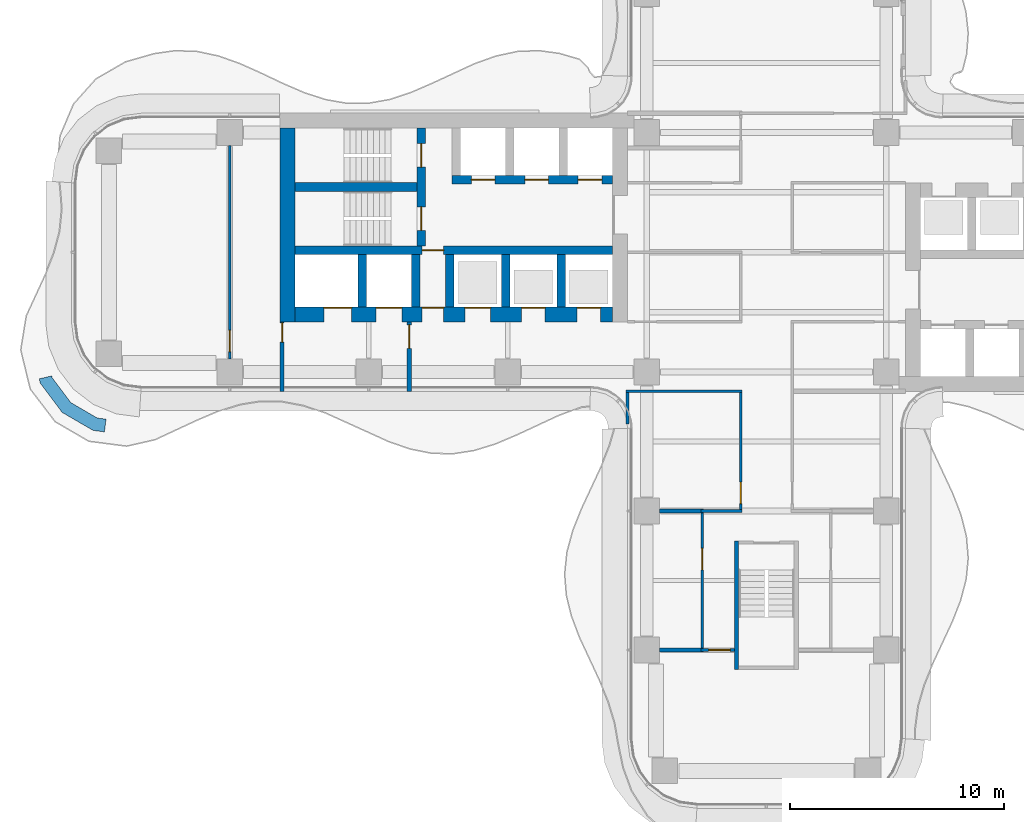
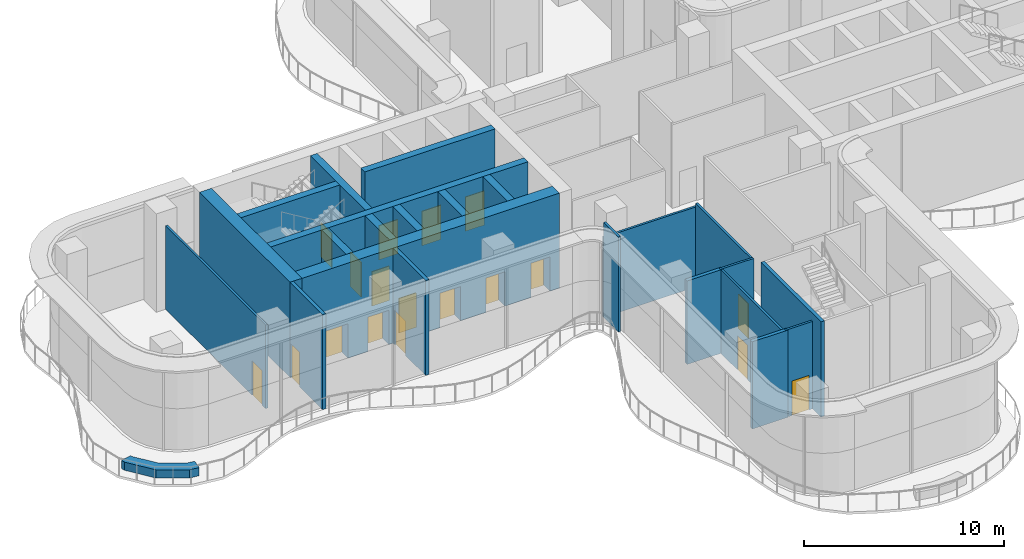
# One storey, part 12 of 19: 24 walls, 18 doors, 18 openings.
"""IFC4 building model written with IfcOpenShell, lengths in metres."""

from ifc_helpers import new_model, si_unit, direction, frame, frame_2d, origin, place, context, subcontext, project, spatial, polyline, rectangle, outline, extrude, source, transform, mapped, material, layer, layer_set, type_object, element, fill, save


model = new_model("IFC4")

# Units and contexts
model_context = context("Model", 3, precision=1e-05, world=origin(), true_north=direction((0.0, 1.0)))
body_context = subcontext(model_context, "Body", "Model", "MODEL_VIEW")
ifc_project = project(units=[si_unit("LENGTHUNIT", "METRE"), si_unit("AREAUNIT", "SQUARE_METRE"), si_unit("VOLUMEUNIT", "CUBIC_METRE"), si_unit("PLANEANGLEUNIT", "RADIAN"), si_unit("MASSUNIT", "GRAM", prefix="KILO")], contexts=[model_context])

# Site, building, storey
site_placement = place(None, origin())
site = spatial("IfcSite", under=ifc_project, at=site_placement, CompositionType="ELEMENT")
building_placement = place(site_placement, origin())
building = spatial("IfcBuilding", under=site, at=building_placement, Name="Trellis Farm Tower", CompositionType="ELEMENT")
storey_placement = place(building_placement, frame((0.0, 0.0, 156.0)))
storey = spatial("IfcBuildingStorey", under=building, at=storey_placement, Name="L33", CompositionType="ELEMENT", Elevation=156.0)

# Wall, opening, door
ifc_material_1 = material(Name="Plasterboard on steel studs, mineral wool", Category="steel")
ifc_layer_1 = layer(ifc_material_1, 0.125)
ifc_layer_set_1 = layer_set([ifc_layer_1], Name="PARTITION 125 STUD EI 60")
wall_type_1 = type_object("IfcWallType", Name="PARTITION 125 STUD EI 60", PredefinedType="PARTITIONING", material=ifc_layer_set_1)
wall_1_placement = place(storey_placement, frame((-25.10009765625, -5.0, 0.0), z_axis=(0.0, 0.0, 1.0), x_axis=(0.0, 1.0, 0.0)))
wall_1 = element("IfcWall", 1, at=wall_1_placement, inside=storey, type_object=wall_type_1, Name="Partition PW1", PredefinedType="PARTITIONING", context=body_context, shape_type="SweptSolid", body=[
    extrude(rectangle(XDim=10.0, YDim=0.125, at=frame_2d((5.0, 0.0))), origin(), (0.0, 0.0, 1.0), 5.0966796875),
])
shared_shape_1 = source(origin(), body_context, "Body", "SweptSolid", [
    extrude(rectangle(XDim=1.0, YDim=2.10009765625, at=frame_2d((0.5, 1.050048828125))), frame((0.0, 0.072509765625, 0.0), z_axis=(0.0, -1.0, 0.0), x_axis=(1.0, 0.0, 0.0)), (0.0, 0.0, 1.0), 0.14501953125),
])
opening_1_placement = place(wall_1_placement, frame((0.35009765625, 0.0, 0.0)))
opening_1 = element("IfcOpeningElement", 2, at=opening_1_placement, cuts=wall_1, Name="Opening D306", PredefinedType="OPENING", context=body_context, shape_type="MappedRepresentation", body=[
    mapped(shared_shape_1, transform((0.0, 0.0, 0.0))),
])
ifc_material_2 = material(Name="Fire-rated timber door leaf in a hollow metal frame", Category="wood")
door_type_1 = type_object("IfcDoorType", Name="DOOR 1000x2100 FD60", OperationType="NOTDEFINED", PredefinedType="DOOR", material=ifc_material_2)
shared_shape_2 = source(origin(), body_context, "Body", "SweptSolid", [
    extrude(rectangle(XDim=1.0, YDim=2.10009765625, at=frame_2d((0.5, 1.050048828125))), frame((0.0, 0.02490234375, 0.0), z_axis=(0.0, -1.0, 0.0), x_axis=(1.0, 0.0, 0.0)), (0.0, 0.0, 1.0), 0.050048828125),
])
door_1_placement = place(opening_1_placement, origin())
door_1 = element("IfcDoor", 3, at=door_1_placement, inside=storey, type_object=door_type_1, Name="Door D306", OperationType="SINGLE_SWING_LEFT", OverallHeight=2.10009765625, OverallWidth=1.0, PredefinedType="DOOR", context=body_context, shape_type="MappedRepresentation", body=[
    mapped(shared_shape_2, transform((0.0, 0.0, 0.0))),
])
fill(opening_1, door_1)

wall_2_placement = place(storey_placement, frame((-1.199951171875, -12.03759765625, 0.0), z_axis=(0.0, 0.0, 1.0), x_axis=(0.0, 1.0, 0.0)))
wall_2 = element("IfcWall", 4, at=wall_2_placement, inside=storey, type_object=wall_type_1, Name="Partition PW1", PredefinedType="PARTITIONING", context=body_context, shape_type="SweptSolid", body=[
    extrude(rectangle(XDim=5.47509765625, YDim=0.125, at=frame_2d((2.737548828125, 0.0))), origin(), (0.0, 0.0, 1.0), 5.0966796875),
])
opening_2_placement = place(wall_2_placement, frame((0.28759765625, 0.0, 0.0)))
opening_2 = element("IfcOpeningElement", 5, at=opening_2_placement, cuts=wall_2, Name="Opening D304", PredefinedType="OPENING", context=body_context, shape_type="MappedRepresentation", body=[
    mapped(shared_shape_1, transform((0.0, 0.0, 0.0))),
])
door_2_placement = place(opening_2_placement, origin())
door_2 = element("IfcDoor", 6, at=door_2_placement, inside=storey, type_object=door_type_1, Name="Door D304", OperationType="SINGLE_SWING_LEFT", OverallHeight=2.10009765625, OverallWidth=1.0, PredefinedType="DOOR", context=body_context, shape_type="MappedRepresentation", body=[
    mapped(shared_shape_2, transform((0.0, 0.0, 0.0))),
])
fill(opening_2, door_2)

# Walls
wall_3_placement = place(storey_placement, frame((-1.137451171875, -6.5, 0.0), z_axis=(0.0, 0.0, 1.0), x_axis=(-1.0, 0.0, 0.0)))
element("IfcWall", 7, at=wall_3_placement, inside=storey, type_object=wall_type_1, Name="Partition PW1", PredefinedType="PARTITIONING", context=body_context, shape_type="SweptSolid", body=[
    extrude(rectangle(XDim=5.425048828125, YDim=0.125, at=frame_2d((2.71240234375, 0.0))), origin(), (0.0, 0.0, 1.0), 4.8798828125),
])
ifc_material_3 = material(Name="Sandstone faced masonry planter", Category="masonry")
ifc_layer_2 = layer(ifc_material_3, 0.60009765625)
ifc_layer_set_2 = layer_set([ifc_layer_2], Name="PLANTER BED 600")
wall_type_2 = type_object("IfcWallType", Name="PLANTER BED 600", PredefinedType="USERDEFINED", material=ifc_layer_set_2)
wall_4_placement = place(storey_placement, origin())
element("IfcWall", 8, at=wall_4_placement, inside=storey, type_object=wall_type_2, Name="PLANTER bed", ObjectType="PLANTER", PredefinedType="USERDEFINED", context=body_context, shape_type="SweptSolid", body=[
    extrude(outline(polyline([(-32.934814453125, -7.489013671875), (-33.956298828125, -6.12158203125), (-34.00341796875, -5.917724609375), (-33.418701171875, -5.782958984375), (-33.400146484375, -5.86376953125), (-32.527099609375, -7.031982421875), (-31.2919921875, -7.751220703125), (-30.878662109375, -7.805908203125), (-30.95751953125, -8.400634765625), (-31.489990234375, -8.330078125), (-32.934814453125, -7.489013671875)])), origin(), (0.0, 0.0, 1.0), 0.5),
])
ifc_material_4 = material(Name="Concrete C70/85", Category="concrete")
ifc_layer_3 = layer(ifc_material_4, 0.699951171875)
ifc_layer_set_3 = layer_set([ifc_layer_3], Name="CORE OUTER WALL 700 CONCRETE C70/85")
wall_type_3 = type_object("IfcWallType", Name="CORE OUTER WALL 700 CONCRETE C70/85", PredefinedType="SHEAR", material=ifc_layer_set_3)
shared_shape_3 = source(origin(), body_context, "Body", "SweptSolid", [
    extrude(rectangle(XDim=9.050048828125, YDim=0.699951171875, at=frame_2d((4.52490234375, 0.0))), origin(), (0.0, 0.0, 1.0), 5.800048828125),
])
wall_5_placement = place(storey_placement, frame((-22.39990234375, 5.800048828125, 0.0), z_axis=(0.0, 0.0, 1.0), x_axis=(0.0, -1.0, 0.0)))
element("IfcWall", 9, at=wall_5_placement, inside=storey, type_object=wall_type_3, Name="Core wall", PredefinedType="SHEAR", context=body_context, shape_type="MappedRepresentation", body=[
    mapped(shared_shape_3, transform((0.0, 0.0, 0.0))),
])
ifc_layer_4 = layer(ifc_material_4, 0.39990234375)
ifc_layer_set_4 = layer_set([ifc_layer_4], Name="CORE INNER WALL 400 CONCRETE C70/85")
wall_type_4 = type_object("IfcWallType", Name="CORE INNER WALL 400 CONCRETE C70/85", PredefinedType="SHEAR", material=ifc_layer_set_4)
shared_shape_4 = source(origin(), body_context, "Body", "SweptSolid", [
    extrude(rectangle(XDim=2.449951171875, YDim=0.39990234375, at=frame_2d((1.22509765625, 0.0))), origin(), (0.0, 0.0, 1.0), 5.800048828125),
])
for number, where, z_axis, x_axis, name in (
    (10, (-9.60009765625, -0.10009765625, 0.0), (0.0, 0.0, 1.0), (0.0, -1.0, 0.0), "Core wall"),
    (11, (-12.199951171875, -0.10009765625, 0.0), (0.0, 0.0, 1.0), (0.0, -1.0, 0.0), "Core wall"),
    (12, (-14.800048828125, -0.10009765625, 0.0), (0.0, 0.0, 1.0), (0.0, -1.0, 0.0), "Core wall"),
    (13, (-16.39990234375, -0.10009765625, 0.0), (0.0, 0.0, 1.0), (0.0, -1.0, 0.0), "Core wall"),
    (14, (-18.89990234375, -0.10009765625, 0.0), (0.0, 0.0, 1.0), (0.0, -1.0, 0.0), "Core wall"),
):
    element("IfcWall", number, at=place(storey_placement, frame(where, z_axis=z_axis, x_axis=x_axis)), inside=storey, type_object=wall_type_4, Name=name, PredefinedType="SHEAR", context=body_context, shape_type="MappedRepresentation", body=[
        mapped(shared_shape_4, transform((0.0, 0.0, 0.0))),
    ])

# Wall, opening, door
ifc_material_5 = material(Name="Masonry blockwork", Category="masonry")
ifc_layer_5 = layer(ifc_material_5, 0.199951171875)
ifc_layer_set_5 = layer_set([ifc_layer_5], Name="FIRE LOBBY PARTITION 200 BLOCKWORK")
wall_type_5 = type_object("IfcWallType", Name="FIRE LOBBY PARTITION 200 BLOCKWORK", PredefinedType="PARTITIONING", material=ifc_layer_set_5)
shared_shape_5 = source(origin(), body_context, "Body", "SweptSolid", [
    extrude(rectangle(XDim=3.25, YDim=0.199951171875, at=frame_2d((1.625, 0.0))), origin(), (0.0, 0.0, 1.0), 5.800048828125),
])
wall_6_placement = place(storey_placement, frame((-16.699951171875, -3.25, 0.0), z_axis=(0.0, 0.0, 1.0), x_axis=(0.0, -1.0, 0.0)))
wall_6 = element("IfcWall", 15, at=wall_6_placement, inside=storey, type_object=wall_type_5, Name="Fire-fighting lobby partition", PredefinedType="PARTITIONING", context=body_context, shape_type="MappedRepresentation", body=[
    mapped(shared_shape_5, transform((0.0, 0.0, 0.0))),
])
shared_shape_6 = source(origin(), body_context, "Body", "SweptSolid", [
    extrude(rectangle(XDim=1.10009765625, YDim=2.10009765625, at=frame_2d((0.550048828125, 1.050048828125))), frame((0.0, 0.110107421875, 0.0), z_axis=(0.0, -1.0, 0.0), x_axis=(1.0, 0.0, 0.0)), (0.0, 0.0, 1.0), 0.22021484375),
])
opening_3_placement = place(wall_6_placement, frame((0.14990234375, 0.0, 0.0)))
opening_3 = element("IfcOpeningElement", 16, at=opening_3_placement, cuts=wall_6, Name="Opening DC93", PredefinedType="OPENING", context=body_context, shape_type="MappedRepresentation", body=[
    mapped(shared_shape_6, transform((0.0, 0.0, 0.0))),
])
ifc_material_6 = material(Name="Steel", Category="steel")
door_type_2 = type_object("IfcDoorType", Name="CORE FIRE DOOR 1100 X 2100", OperationType="NOTDEFINED", PredefinedType="DOOR", material=ifc_material_6)
shared_shape_7 = source(origin(), body_context, "Body", "SweptSolid", [
    extrude(rectangle(XDim=1.10009765625, YDim=2.10009765625, at=frame_2d((0.550048828125, 1.050048828125))), frame((0.0, 0.02490234375, 0.0), z_axis=(0.0, -1.0, 0.0), x_axis=(1.0, 0.0, 0.0)), (0.0, 0.0, 1.0), 0.050048828125),
])
door_3_placement = place(opening_3_placement, origin())
door_3 = element("IfcDoor", 17, at=door_3_placement, inside=storey, type_object=door_type_2, Name="Core door", OperationType="SINGLE_SWING_RIGHT", OverallHeight=2.10009765625, OverallWidth=1.10009765625, PredefinedType="DOOR", context=body_context, shape_type="MappedRepresentation", body=[
    mapped(shared_shape_7, transform((0.0, 0.0, 0.0))),
])
fill(opening_3, door_3)

wall_7_placement = place(storey_placement, frame((-22.64990234375, -3.25, 0.0), z_axis=(0.0, 0.0, 1.0), x_axis=(0.0, -1.0, 0.0)))
wall_7 = element("IfcWall", 18, at=wall_7_placement, inside=storey, type_object=wall_type_5, Name="Fire-fighting lobby partition", PredefinedType="PARTITIONING", context=body_context, shape_type="MappedRepresentation", body=[
    mapped(shared_shape_5, transform((0.0, 0.0, 0.0))),
])
shared_shape_8 = source(origin(), body_context, "Body", "SweptSolid", [
    extrude(rectangle(XDim=0.89990234375, YDim=2.10009765625, at=frame_2d((0.449951171875, 1.050048828125))), frame((0.0, 0.110107421875, 0.0), z_axis=(0.0, -1.0, 0.0), x_axis=(1.0, 0.0, 0.0)), (0.0, 0.0, 1.0), 0.22021484375),
])
opening_4_placement = place(wall_7_placement, frame((0.050048828125, 0.0, 0.0)))
opening_4 = element("IfcOpeningElement", 19, at=opening_4_placement, cuts=wall_7, Name="Opening DC94", PredefinedType="OPENING", context=body_context, shape_type="MappedRepresentation", body=[
    mapped(shared_shape_8, transform((0.0, 0.0, 0.0))),
])
door_type_3 = type_object("IfcDoorType", Name="CORE FIRE DOOR 900 X 2100", OperationType="NOTDEFINED", PredefinedType="DOOR", material=ifc_material_6)
shared_shape_9 = source(origin(), body_context, "Body", "SweptSolid", [
    extrude(rectangle(XDim=0.89990234375, YDim=2.10009765625, at=frame_2d((0.449951171875, 1.050048828125))), frame((0.0, 0.02490234375, 0.0), z_axis=(0.0, -1.0, 0.0), x_axis=(1.0, 0.0, 0.0)), (0.0, 0.0, 1.0), 0.050048828125),
])
door_4_placement = place(opening_4_placement, origin())
door_4 = element("IfcDoor", 20, at=door_4_placement, inside=storey, type_object=door_type_3, Name="Core door", OperationType="SINGLE_SWING_RIGHT", OverallHeight=2.10009765625, OverallWidth=0.89990234375, PredefinedType="DOOR", context=body_context, shape_type="MappedRepresentation", body=[
    mapped(shared_shape_9, transform((0.0, 0.0, 0.0))),
])
fill(opening_4, door_4)

# Wall, openings, doors
shared_shape_10 = source(origin(), body_context, "Body", "SweptSolid", [
    extrude(rectangle(XDim=14.85009765625, YDim=0.699951171875, at=frame_2d((7.425048828125, 0.0))), origin(), (0.0, 0.0, 1.0), 5.800048828125),
])
wall_8_placement = place(storey_placement, frame((-7.199951171875, -2.89990234375, 0.0), z_axis=(0.0, 0.0, 1.0), x_axis=(-1.0, 0.0, 0.0)))
wall_8 = element("IfcWall", 21, at=wall_8_placement, inside=storey, type_object=wall_type_3, Name="Core wall", PredefinedType="SHEAR", context=body_context, shape_type="MappedRepresentation", body=[
    mapped(shared_shape_10, transform((0.0, 0.0, 0.0))),
])
shared_shape_11 = source(origin(), body_context, "Body", "SweptSolid", [
    extrude(rectangle(XDim=1.10009765625, YDim=2.10009765625, at=frame_2d((0.550048828125, 1.050048828125))), frame((0.0, 0.360107421875, 0.0), z_axis=(0.0, -1.0, 0.0), x_axis=(1.0, 0.0, 0.0)), (0.0, 0.0, 1.0), 0.72021484375),
])
opening_5_placement = place(wall_8_placement, frame((0.550048828125, 0.0, 0.0)))
opening_5 = element("IfcOpeningElement", 22, at=opening_5_placement, cuts=wall_8, Name="Opening LD12", PredefinedType="OPENING", context=body_context, shape_type="MappedRepresentation", body=[
    mapped(shared_shape_11, transform((0.0, 0.0, 0.0))),
])
opening_6_placement = place(wall_8_placement, frame((3.14990234375, 0.0, 0.0)))
opening_6 = element("IfcOpeningElement", 23, at=opening_6_placement, cuts=wall_8, Name="Opening LD13", PredefinedType="OPENING", context=body_context, shape_type="MappedRepresentation", body=[
    mapped(shared_shape_11, transform((0.0, 0.0, 0.0))),
])
shared_shape_12 = source(origin(), body_context, "Body", "SweptSolid", [
    extrude(rectangle(XDim=1.199951171875, YDim=2.10009765625, at=frame_2d((0.60009765625, 1.050048828125))), frame((0.0, 0.360107421875, 0.0), z_axis=(0.0, -1.0, 0.0), x_axis=(1.0, 0.0, 0.0)), (0.0, 0.0, 1.0), 0.72021484375),
])
opening_7_placement = place(wall_8_placement, frame((5.699951171875, 0.0, 0.0)))
opening_7 = element("IfcOpeningElement", 24, at=opening_7_placement, cuts=wall_8, Name="Opening LD14", PredefinedType="OPENING", context=body_context, shape_type="MappedRepresentation", body=[
    mapped(shared_shape_12, transform((0.0, 0.0, 0.0))),
])
shared_shape_13 = source(origin(), body_context, "Body", "SweptSolid", [
    extrude(rectangle(XDim=1.300048828125, YDim=2.10009765625, at=frame_2d((0.64990234375, 1.050048828125))), frame((0.0, 0.360107421875, 0.0), z_axis=(0.0, -1.0, 0.0), x_axis=(1.0, 0.0, 0.0)), (0.0, 0.0, 1.0), 0.72021484375),
])
opening_8_placement = place(wall_8_placement, frame((12.199951171875, 0.0, 0.0)))
opening_8 = element("IfcOpeningElement", 25, at=opening_8_placement, cuts=wall_8, Name="Opening LD15", PredefinedType="OPENING", context=body_context, shape_type="MappedRepresentation", body=[
    mapped(shared_shape_13, transform((0.0, 0.0, 0.0))),
])
opening_9_placement = place(wall_8_placement, frame((9.85009765625, 0.0, 0.0)))
opening_9 = element("IfcOpeningElement", 26, at=opening_9_placement, cuts=wall_8, Name="Opening LD16", PredefinedType="OPENING", context=body_context, shape_type="MappedRepresentation", body=[
    mapped(shared_shape_12, transform((0.0, 0.0, 0.0))),
])
shared_shape_14 = source(origin(), body_context, "Body", "SweptSolid", [
    extrude(rectangle(XDim=1.0, YDim=2.10009765625, at=frame_2d((0.5, 1.050048828125))), frame((0.0, 0.360107421875, 0.0), z_axis=(0.0, -1.0, 0.0), x_axis=(1.0, 0.0, 0.0)), (0.0, 0.0, 1.0), 0.72021484375),
])
opening_10_placement = place(wall_8_placement, frame((7.89990234375, 0.0, 0.0)))
opening_10 = element("IfcOpeningElement", 27, at=opening_10_placement, cuts=wall_8, Name="Opening DC92", PredefinedType="OPENING", context=body_context, shape_type="MappedRepresentation", body=[
    mapped(shared_shape_14, transform((0.0, 0.0, 0.0))),
])
door_type_4 = type_object("IfcDoorType", Name="CORE FIRE DOOR 1000 X 2100", OperationType="NOTDEFINED", PredefinedType="DOOR", material=ifc_material_6)
shared_shape_15 = source(origin(), body_context, "Body", "SweptSolid", [
    extrude(rectangle(XDim=1.0, YDim=2.10009765625, at=frame_2d((0.5, 1.050048828125))), frame((0.0, -0.27490234375, 0.0), z_axis=(0.0, -1.0, 0.0), x_axis=(1.0, 0.0, 0.0)), (0.0, 0.0, 1.0), 0.050048828125),
])
door_5_placement = place(opening_10_placement, origin())
door_5 = element("IfcDoor", 28, at=door_5_placement, inside=storey, type_object=door_type_4, Name="Core door", OperationType="SINGLE_SWING_LEFT", OverallHeight=2.10009765625, OverallWidth=1.0, PredefinedType="DOOR", context=body_context, shape_type="MappedRepresentation", body=[
    mapped(shared_shape_15, transform((0.0, 0.0, 0.0))),
])
fill(opening_10, door_5)
ifc_material_7 = material(Name="Stainless steel", Category="steel")
door_type_5 = type_object("IfcDoorType", Name="LIFT LANDING DOOR 1300 X 2100", OperationType="DOUBLE_DOOR_SLIDING", PredefinedType="DOOR", material=ifc_material_7)
shared_shape_16 = source(origin(), body_context, "Body", "SweptSolid", [
    extrude(rectangle(XDim=1.300048828125, YDim=2.10009765625, at=frame_2d((0.64990234375, 1.050048828125))), frame((0.0, -0.27490234375, 0.0), z_axis=(0.0, -1.0, 0.0), x_axis=(1.0, 0.0, 0.0)), (0.0, 0.0, 1.0), 0.050048828125),
])
door_6_placement = place(opening_8_placement, origin())
door_6 = element("IfcDoor", 29, at=door_6_placement, inside=storey, type_object=door_type_5, Name="Lift landing door", OperationType="DOUBLE_DOOR_SLIDING", OverallHeight=2.10009765625, OverallWidth=1.300048828125, PredefinedType="DOOR", context=body_context, shape_type="MappedRepresentation", body=[
    mapped(shared_shape_16, transform((0.0, 0.0, 0.0))),
])
fill(opening_8, door_6)
door_type_6 = type_object("IfcDoorType", Name="LIFT LANDING DOOR 1200 X 2100", OperationType="DOUBLE_DOOR_SLIDING", PredefinedType="DOOR", material=ifc_material_7)
shared_shape_17 = source(origin(), body_context, "Body", "SweptSolid", [
    extrude(rectangle(XDim=1.199951171875, YDim=2.10009765625, at=frame_2d((0.60009765625, 1.050048828125))), frame((0.0, -0.27490234375, 0.0), z_axis=(0.0, -1.0, 0.0), x_axis=(1.0, 0.0, 0.0)), (0.0, 0.0, 1.0), 0.050048828125),
])
door_7_placement = place(opening_7_placement, origin())
door_7 = element("IfcDoor", 30, at=door_7_placement, inside=storey, type_object=door_type_6, Name="Lift landing door", OperationType="DOUBLE_DOOR_SLIDING", OverallHeight=2.10009765625, OverallWidth=1.199951171875, PredefinedType="DOOR", context=body_context, shape_type="MappedRepresentation", body=[
    mapped(shared_shape_17, transform((0.0, 0.0, 0.0))),
])
fill(opening_7, door_7)
door_8_placement = place(opening_9_placement, origin())
door_8 = element("IfcDoor", 31, at=door_8_placement, inside=storey, type_object=door_type_6, Name="Lift landing door", OperationType="DOUBLE_DOOR_SLIDING", OverallHeight=2.10009765625, OverallWidth=1.199951171875, PredefinedType="DOOR", context=body_context, shape_type="MappedRepresentation", body=[
    mapped(shared_shape_17, transform((0.0, 0.0, 0.0))),
])
fill(opening_9, door_8)
door_type_7 = type_object("IfcDoorType", Name="LIFT LANDING DOOR 1100 X 2100", OperationType="DOUBLE_DOOR_SLIDING", PredefinedType="DOOR", material=ifc_material_7)
shared_shape_18 = source(origin(), body_context, "Body", "SweptSolid", [
    extrude(rectangle(XDim=1.10009765625, YDim=2.10009765625, at=frame_2d((0.550048828125, 1.050048828125))), frame((0.0, -0.27490234375, 0.0), z_axis=(0.0, -1.0, 0.0), x_axis=(1.0, 0.0, 0.0)), (0.0, 0.0, 1.0), 0.050048828125),
])
door_9_placement = place(opening_5_placement, origin())
door_9 = element("IfcDoor", 32, at=door_9_placement, inside=storey, type_object=door_type_7, Name="Lift landing door", OperationType="DOUBLE_DOOR_SLIDING", OverallHeight=2.10009765625, OverallWidth=1.10009765625, PredefinedType="DOOR", context=body_context, shape_type="MappedRepresentation", body=[
    mapped(shared_shape_18, transform((0.0, 0.0, 0.0))),
])
fill(opening_5, door_9)
door_10_placement = place(opening_6_placement, origin())
door_10 = element("IfcDoor", 33, at=door_10_placement, inside=storey, type_object=door_type_7, Name="Lift landing door", OperationType="DOUBLE_DOOR_SLIDING", OverallHeight=2.10009765625, OverallWidth=1.10009765625, PredefinedType="DOOR", context=body_context, shape_type="MappedRepresentation", body=[
    mapped(shared_shape_18, transform((0.0, 0.0, 0.0))),
])
fill(opening_6, door_10)

shared_shape_19 = source(origin(), body_context, "Body", "SweptSolid", [
    extrude(rectangle(XDim=7.5, YDim=0.39990234375, at=frame_2d((3.75, 0.0))), origin(), (0.0, 0.0, 1.0), 5.800048828125),
])
wall_9_placement = place(storey_placement, frame((-7.199951171875, 3.39990234375, 0.0), z_axis=(0.0, 0.0, 1.0), x_axis=(-1.0, 0.0, 0.0)))
wall_9 = element("IfcWall", 34, at=wall_9_placement, inside=storey, type_object=wall_type_4, Name="Core wall", PredefinedType="SHEAR", context=body_context, shape_type="MappedRepresentation", body=[
    mapped(shared_shape_19, transform((0.0, 0.0, 0.0))),
])
shared_shape_20 = source(origin(), body_context, "Body", "SweptSolid", [
    extrude(rectangle(XDim=1.10009765625, YDim=2.10009765625, at=frame_2d((0.550048828125, 1.050048828125))), frame((0.0, 0.2099609375, 0.0), z_axis=(0.0, -1.0, 0.0), x_axis=(1.0, 0.0, 0.0)), (0.0, 0.0, 1.0), 0.419921875),
])
opening_11_placement = place(wall_9_placement, frame((0.5, 0.0, 0.0)))
opening_11 = element("IfcOpeningElement", 35, at=opening_11_placement, cuts=wall_9, Name="Opening LD9", PredefinedType="OPENING", context=body_context, shape_type="MappedRepresentation", body=[
    mapped(shared_shape_20, transform((0.0, 0.0, 0.0))),
])
opening_12_placement = place(wall_9_placement, frame((3.0, 0.0, 0.0)))
opening_12 = element("IfcOpeningElement", 36, at=opening_12_placement, cuts=wall_9, Name="Opening LD10", PredefinedType="OPENING", context=body_context, shape_type="MappedRepresentation", body=[
    mapped(shared_shape_20, transform((0.0, 0.0, 0.0))),
])
opening_13_placement = place(wall_9_placement, frame((5.5, 0.0, 0.0)))
opening_13 = element("IfcOpeningElement", 37, at=opening_13_placement, cuts=wall_9, Name="Opening LD11", PredefinedType="OPENING", context=body_context, shape_type="MappedRepresentation", body=[
    mapped(shared_shape_20, transform((0.0, 0.0, 0.0))),
])
door_11_placement = place(opening_11_placement, origin())
door_11 = element("IfcDoor", 38, at=door_11_placement, inside=storey, type_object=door_type_7, Name="Lift landing door", OperationType="DOUBLE_DOOR_SLIDING", OverallHeight=2.10009765625, OverallWidth=1.10009765625, PredefinedType="DOOR", context=body_context, shape_type="MappedRepresentation", body=[
    mapped(shared_shape_7, transform((0.0, 0.0, 0.0))),
])
fill(opening_11, door_11)
door_12_placement = place(opening_12_placement, origin())
door_12 = element("IfcDoor", 39, at=door_12_placement, inside=storey, type_object=door_type_7, Name="Lift landing door", OperationType="DOUBLE_DOOR_SLIDING", OverallHeight=2.10009765625, OverallWidth=1.10009765625, PredefinedType="DOOR", context=body_context, shape_type="MappedRepresentation", body=[
    mapped(shared_shape_7, transform((0.0, 0.0, 0.0))),
])
fill(opening_12, door_12)
door_13_placement = place(opening_13_placement, origin())
door_13 = element("IfcDoor", 40, at=door_13_placement, inside=storey, type_object=door_type_7, Name="Lift landing door", OperationType="DOUBLE_DOOR_SLIDING", OverallHeight=2.10009765625, OverallWidth=1.10009765625, PredefinedType="DOOR", context=body_context, shape_type="MappedRepresentation", body=[
    mapped(shared_shape_7, transform((0.0, 0.0, 0.0))),
])
fill(opening_13, door_13)

# Wall, opening, door
shared_shape_21 = source(origin(), body_context, "Body", "SweptSolid", [
    extrude(rectangle(XDim=14.85009765625, YDim=0.39990234375, at=frame_2d((7.425048828125, 0.0))), origin(), (0.0, 0.0, 1.0), 5.800048828125),
])
wall_10_placement = place(storey_placement, frame((-7.199951171875, 0.10009765625, 0.0), z_axis=(0.0, 0.0, 1.0), x_axis=(-1.0, 0.0, 0.0)))
wall_10 = element("IfcWall", 41, at=wall_10_placement, inside=storey, type_object=wall_type_4, Name="Core wall", PredefinedType="SHEAR", context=body_context, shape_type="MappedRepresentation", body=[
    mapped(shared_shape_21, transform((0.0, 0.0, 0.0))),
])
shared_shape_22 = source(origin(), body_context, "Body", "SweptSolid", [
    extrude(rectangle(XDim=1.0, YDim=2.10009765625, at=frame_2d((0.5, 1.050048828125))), frame((0.0, 0.2099609375, 0.0), z_axis=(0.0, -1.0, 0.0), x_axis=(1.0, 0.0, 0.0)), (0.0, 0.0, 1.0), 0.419921875),
])
opening_14_placement = place(wall_10_placement, frame((7.89990234375, 0.0, 0.0)))
opening_14 = element("IfcOpeningElement", 42, at=opening_14_placement, cuts=wall_10, Name="Opening DC91", PredefinedType="OPENING", context=body_context, shape_type="MappedRepresentation", body=[
    mapped(shared_shape_22, transform((0.0, 0.0, 0.0))),
])
door_14_placement = place(opening_14_placement, origin())
door_14 = element("IfcDoor", 43, at=door_14_placement, inside=storey, type_object=door_type_4, Name="Core door", OperationType="SINGLE_SWING_RIGHT", OverallHeight=2.10009765625, OverallWidth=1.0, PredefinedType="DOOR", context=body_context, shape_type="MappedRepresentation", body=[
    mapped(shared_shape_2, transform((0.0, 0.0, 0.0))),
])
fill(opening_14, door_14)

# Wall, openings, doors
shared_shape_23 = source(origin(), body_context, "Body", "SweptSolid", [
    extrude(rectangle(XDim=5.5, YDim=0.39990234375, at=frame_2d((2.75, 0.0))), origin(), (0.0, 0.0, 1.0), 5.800048828125),
])
wall_11_placement = place(storey_placement, frame((-16.14990234375, 5.800048828125, 0.0), z_axis=(0.0, 0.0, 1.0), x_axis=(0.0, -1.0, 0.0)))
wall_11 = element("IfcWall", 44, at=wall_11_placement, inside=storey, type_object=wall_type_4, Name="Core wall", PredefinedType="SHEAR", context=body_context, shape_type="MappedRepresentation", body=[
    mapped(shared_shape_23, transform((0.0, 0.0, 0.0))),
])
opening_15_placement = place(wall_11_placement, frame((0.72509765625, 0.0, 0.0)))
opening_15 = element("IfcOpeningElement", 45, at=opening_15_placement, cuts=wall_11, Name="Opening DC88", PredefinedType="OPENING", context=body_context, shape_type="MappedRepresentation", body=[
    mapped(shared_shape_20, transform((0.0, 0.0, 0.0))),
])
opening_16_placement = place(wall_11_placement, frame((3.675048828125, 0.0, 0.0)))
opening_16 = element("IfcOpeningElement", 46, at=opening_16_placement, cuts=wall_11, Name="Opening DC89", PredefinedType="OPENING", context=body_context, shape_type="MappedRepresentation", body=[
    mapped(shared_shape_20, transform((0.0, 0.0, 0.0))),
])
door_15_placement = place(opening_15_placement, origin())
door_15 = element("IfcDoor", 47, at=door_15_placement, inside=storey, type_object=door_type_2, Name="Core door", OperationType="SINGLE_SWING_RIGHT", OverallHeight=2.10009765625, OverallWidth=1.10009765625, PredefinedType="DOOR", context=body_context, shape_type="MappedRepresentation", body=[
    mapped(shared_shape_7, transform((0.0, 0.0, 0.0))),
])
fill(opening_15, door_15)
door_16_placement = place(opening_16_placement, origin())
door_16 = element("IfcDoor", 48, at=door_16_placement, inside=storey, type_object=door_type_2, Name="Core door", OperationType="SINGLE_SWING_LEFT", OverallHeight=2.10009765625, OverallWidth=1.10009765625, PredefinedType="DOOR", context=body_context, shape_type="MappedRepresentation", body=[
    mapped(shared_shape_7, transform((0.0, 0.0, 0.0))),
])
fill(opening_16, door_16)

# Walls
shared_shape_24 = source(origin(), body_context, "Body", "SweptSolid", [
    extrude(rectangle(XDim=5.699951171875, YDim=0.39990234375, at=frame_2d((2.85009765625, 0.0))), origin(), (0.0, 0.0, 1.0), 5.800048828125),
])
wall_12_placement = place(storey_placement, frame((-16.35009765625, 3.050048828125, 0.0), z_axis=(0.0, 0.0, 1.0), x_axis=(-1.0, 0.0, 0.0)))
element("IfcWall", 49, at=wall_12_placement, inside=storey, type_object=wall_type_4, Name="Core wall", PredefinedType="SHEAR", context=body_context, shape_type="MappedRepresentation", body=[
    mapped(shared_shape_24, transform((0.0, 0.0, 0.0))),
])
ifc_layer_6 = layer(ifc_material_4, 0.199951171875)
ifc_layer_set_6 = layer_set([ifc_layer_6], Name="CORE STAIR ENCLOSURE WALL 200 CONCRETE C70/85")
wall_type_6 = type_object("IfcWallType", Name="CORE STAIR ENCLOSURE WALL 200 CONCRETE C70/85", PredefinedType="SHEAR", material=ifc_layer_set_6)
shared_shape_25 = source(origin(), body_context, "Body", "SweptSolid", [
    extrude(rectangle(XDim=6.0, YDim=0.199951171875, at=frame_2d((3.0, 0.0))), origin(), (0.0, 0.0, 1.0), 5.800048828125),
])
wall_13_placement = place(storey_placement, frame((-1.39990234375, -13.5, 0.0), z_axis=(0.0, 0.0, 1.0), x_axis=(0.0, -1.0, 0.0)))
element("IfcWall", 50, at=wall_13_placement, inside=storey, type_object=wall_type_6, Name="Stair enclosure wall", PredefinedType="SHEAR", context=body_context, shape_type="MappedRepresentation", body=[
    mapped(shared_shape_25, transform((0.0, 0.0, 0.0))),
])

# Wall, opening, door
shared_shape_26 = source(origin(), body_context, "Body", "SweptSolid", [
    extrude(rectangle(XDim=6.300048828125, YDim=0.125, at=frame_2d((3.14990234375, 0.0))), origin(), (0.0, 0.0, 1.0), 5.0966796875),
])
wall_14_placement = place(storey_placement, frame((-3.0, -18.5, 0.0), z_axis=(0.0, 0.0, 1.0), x_axis=(0.0, 1.0, 0.0)))
wall_14 = element("IfcWall", 51, at=wall_14_placement, inside=storey, type_object=wall_type_1, Name="Partition PW1", PredefinedType="PARTITIONING", context=body_context, shape_type="MappedRepresentation", body=[
    mapped(shared_shape_26, transform((0.0, 0.0, 0.0))),
])
opening_17_placement = place(wall_14_placement, frame((3.64990234375, 0.0, 0.0)))
opening_17 = element("IfcOpeningElement", 52, at=opening_17_placement, cuts=wall_14, Name="Opening D302", PredefinedType="OPENING", context=body_context, shape_type="MappedRepresentation", body=[
    mapped(shared_shape_1, transform((0.0, 0.0, 0.0))),
])
door_17_placement = place(opening_17_placement, origin())
door_17 = element("IfcDoor", 53, at=door_17_placement, inside=storey, type_object=door_type_1, Name="Door D302", OperationType="SINGLE_SWING_RIGHT", OverallHeight=2.10009765625, OverallWidth=1.0, PredefinedType="DOOR", context=body_context, shape_type="MappedRepresentation", body=[
    mapped(shared_shape_2, transform((0.0, 0.0, 0.0))),
])
fill(opening_17, door_17)

# Walls
shared_shape_27 = source(origin(), body_context, "Body", "SweptSolid", [
    extrude(rectangle(XDim=1.468994140625, YDim=0.125, at=frame_2d((0.734375, 0.0))), origin(), (0.0, 0.0, 1.0), 5.800048828125),
])
wall_15_placement = place(storey_placement, frame((-6.5, -6.5625, 0.0), z_axis=(0.0, 0.0, 1.0), x_axis=(0.0, -1.0, 0.0)))
element("IfcWall", 54, at=wall_15_placement, inside=storey, type_object=wall_type_1, Name="Partition PW1", PredefinedType="PARTITIONING", context=body_context, shape_type="MappedRepresentation", body=[
    mapped(shared_shape_27, transform((0.0, 0.0, 0.0))),
])
ifc_material_8 = material(Name="Lightweight blockwork, plastered", Category="masonry")
ifc_layer_7 = layer(ifc_material_8, 0.199951171875)
ifc_layer_set_7 = layer_set([ifc_layer_7], Name="BLOCK WALL 200 EI 120")
wall_type_7 = type_object("IfcWallType", Name="BLOCK WALL 200 EI 120", PredefinedType="PARTITIONING", material=ifc_layer_set_7)
shared_shape_28 = source(origin(), body_context, "Body", "SweptSolid", [
    extrude(rectangle(XDim=2.0625, YDim=0.199951171875, at=frame_2d((1.03125, 0.0))), origin(), (0.0, 0.0, 1.0), 5.322998046875),
])
wall_16_placement = place(storey_placement, frame((-5.0, -18.60009765625, 0.0), z_axis=(0.0, 0.0, 1.0), x_axis=(1.0, 0.0, 0.0)))
element("IfcWall", 55, at=wall_16_placement, inside=storey, type_object=wall_type_7, Name="Partition PW3", PredefinedType="PARTITIONING", context=body_context, shape_type="MappedRepresentation", body=[
    mapped(shared_shape_28, transform((0.0, 0.0, 0.0))),
])

# Wall, opening, door
shared_shape_29 = source(origin(), body_context, "Body", "SweptSolid", [
    extrude(rectangle(XDim=1.5625, YDim=0.125, at=frame_2d((0.78125, 0.0))), origin(), (0.0, 0.0, 1.0), 5.322998046875),
])
wall_17_placement = place(storey_placement, frame((-1.5, -18.60009765625, 0.0), z_axis=(0.0, 0.0, 1.0), x_axis=(-1.0, 0.0, 0.0)))
wall_17 = element("IfcWall", 56, at=wall_17_placement, inside=storey, type_object=wall_type_1, Name="Partition PW1", PredefinedType="PARTITIONING", context=body_context, shape_type="MappedRepresentation", body=[
    mapped(shared_shape_29, transform((0.0, 0.0, 0.0))),
])
opening_18_placement = place(wall_17_placement, frame((0.199951171875, 0.0, 0.0)))
opening_18 = element("IfcOpeningElement", 57, at=opening_18_placement, cuts=wall_17, Name="Opening D301", PredefinedType="OPENING", context=body_context, shape_type="MappedRepresentation", body=[
    mapped(shared_shape_1, transform((0.0, 0.0, 0.0))),
])
door_18_placement = place(opening_18_placement, origin())
door_18 = element("IfcDoor", 58, at=door_18_placement, inside=storey, type_object=door_type_1, Name="Door D301", OperationType="SINGLE_SWING_LEFT", OverallHeight=2.10009765625, OverallWidth=1.0, PredefinedType="DOOR", context=body_context, shape_type="MappedRepresentation", body=[
    mapped(shared_shape_2, transform((0.0, 0.0, 0.0))),
])
fill(opening_18, door_18)

# Walls
shared_shape_30 = source(origin(), body_context, "Body", "SweptSolid", [
    extrude(rectangle(XDim=2.0625, YDim=0.199951171875, at=frame_2d((1.03125, 0.0))), origin(), (0.0, 0.0, 1.0), 5.0966796875),
])
wall_18_placement = place(storey_placement, frame((-5.0, -12.10009765625, 0.0), z_axis=(0.0, 0.0, 1.0), x_axis=(1.0, 0.0, 0.0)))
element("IfcWall", 59, at=wall_18_placement, inside=storey, type_object=wall_type_7, Name="Partition PW3", PredefinedType="PARTITIONING", context=body_context, shape_type="MappedRepresentation", body=[
    mapped(shared_shape_30, transform((0.0, 0.0, 0.0))),
])
shared_shape_31 = source(origin(), body_context, "Body", "SweptSolid", [
    extrude(rectangle(XDim=1.925048828125, YDim=0.125, at=frame_2d((0.96240234375, 0.0))), origin(), (0.0, 0.0, 1.0), 5.0966796875),
])
wall_19_placement = place(storey_placement, frame((-3.0625, -12.10009765625, 0.0), z_axis=(0.0, 0.0, 1.0), x_axis=(1.0, 0.0, 0.0)))
element("IfcWall", 60, at=wall_19_placement, inside=storey, type_object=wall_type_1, Name="Partition PW1", PredefinedType="PARTITIONING", context=body_context, shape_type="MappedRepresentation", body=[
    mapped(shared_shape_31, transform((0.0, 0.0, 0.0))),
])

save(model, "model.ifc")
